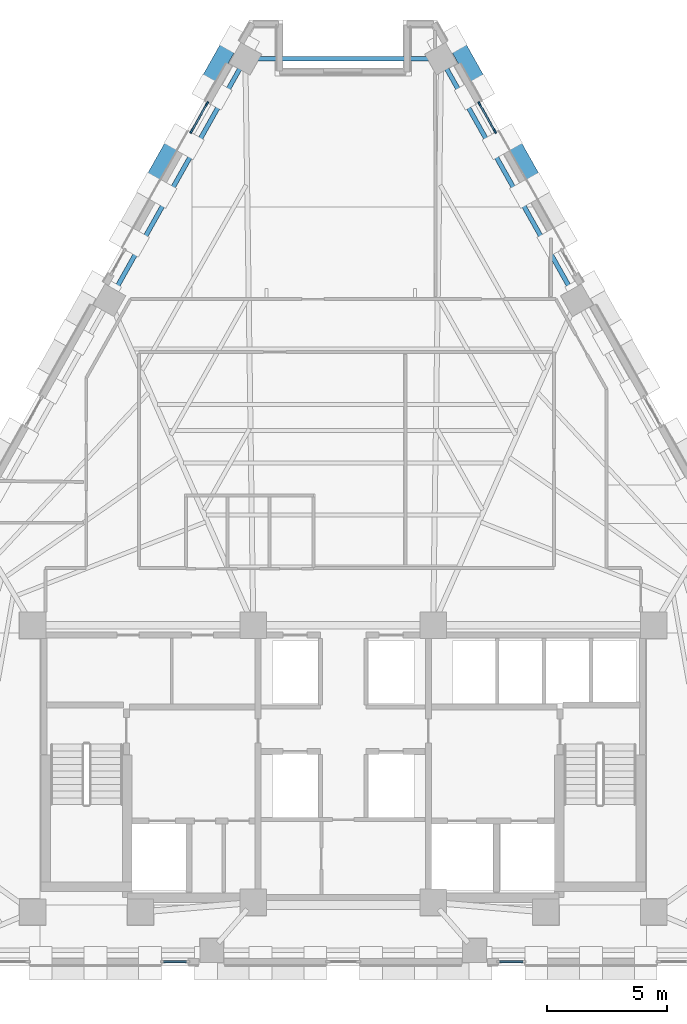
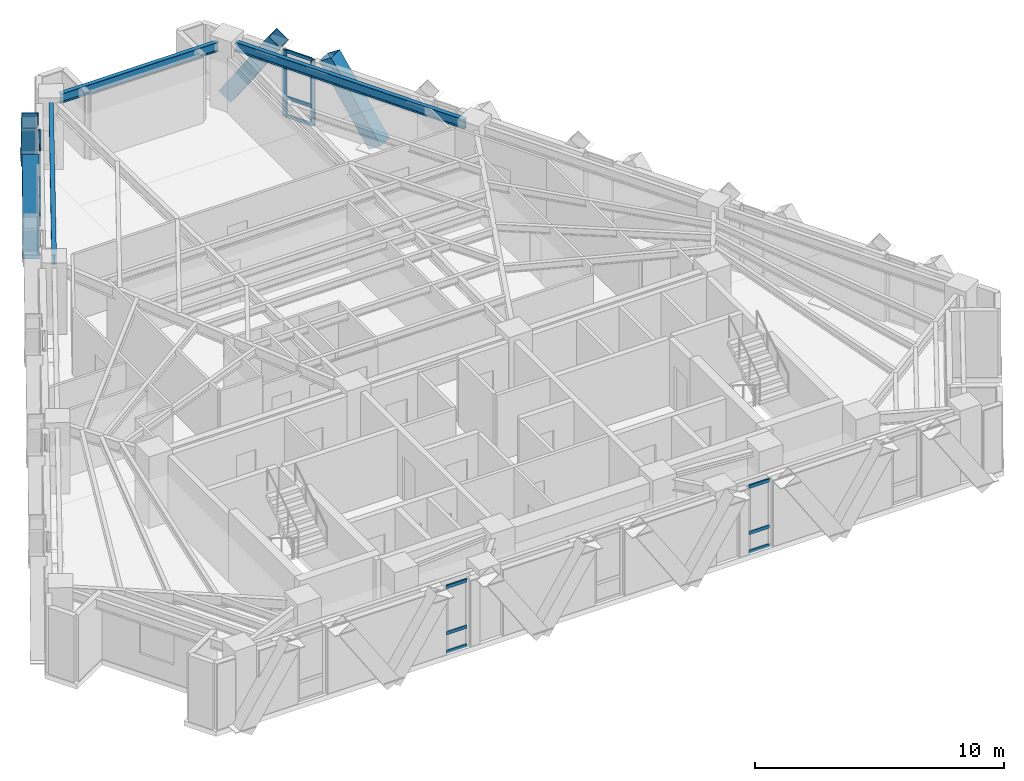
# One storey, part 5 of 13: 20 members, 3 beams, 4 elements without a shape of their own.
"""IFC4 building model written with IfcOpenShell, lengths in metres."""

from ifc_helpers import new_model, si_unit, direction, frame, origin, origin_2d, place, context, subcontext, project, spatial, rectangle, hollow_rectangle, i_section, extrude, material, material_profile, profile_set, type_object, element, aggregate, save


model = new_model("IFC4")

# Units and contexts
model_context = context("Model", 3, precision=1e-05, world=origin(), true_north=direction((0.0, 1.0)))
body_context = subcontext(model_context, "Body", "Model", "MODEL_VIEW")
ifc_project = project(units=[si_unit("LENGTHUNIT", "METRE"), si_unit("AREAUNIT", "SQUARE_METRE"), si_unit("VOLUMEUNIT", "CUBIC_METRE"), si_unit("PLANEANGLEUNIT", "RADIAN"), si_unit("MASSUNIT", "GRAM", prefix="KILO")], contexts=[model_context])

# Site, building, storey
site_placement = place(None, origin())
site = spatial("IfcSite", under=ifc_project, at=site_placement, CompositionType="ELEMENT")
building_placement = place(site_placement, origin())
building = spatial("IfcBuilding", under=site, at=building_placement, Name="Quenlor Broadcast Tower", CompositionType="ELEMENT")
storey_placement = place(building_placement, frame((0.0, 0.0, 161.5)))
storey = spatial("IfcBuildingStorey", under=building, at=storey_placement, Name="L44", CompositionType="ELEMENT", Elevation=161.5)

# Curtain wall, members
ifc_material_1 = material(Name="Architectural Terracotta and Low-E Glazing", Category="masonry")
curtain_wall_type = type_object("IfcCurtainWallType", Name="Unitised Terracotta Curtain Wall System Z3", PredefinedType="NOTDEFINED", material=ifc_material_1)
curtain_wall_1_placement = place(storey_placement, origin())
curtain_wall_1 = element("IfcCurtainWall", 1, at=curtain_wall_1_placement, inside=storey, type_object=curtain_wall_type, Name="L44 Curtain Wall CW3 (L44-NEA-G1)", PredefinedType="NOTDEFINED")
ifc_material_2 = material(Name="Aluminium 6063-T6", Category="aluminium")
ifc_material_profile_1 = material_profile(ifc_material_2, rectangle(XDim=0.070068359375, YDim=0.18994140625, at=origin_2d()))
ifc_profile_set_1 = profile_set([ifc_material_profile_1], Name="Aluminium 6063-T6 MULL70x190")
member_type_1 = type_object("IfcMemberType", Name="CW3 Aluminium Mullion MULL_CW3", PredefinedType="MULLION", material=ifc_profile_set_1)
member_1_placement = place(storey_placement, frame((5.677978515625, 16.94921875, 0.0), z_axis=(0.0, 0.0, 1.0), x_axis=(0.871592831439, 0.490230492916, 0.0)))
member_1 = element("IfcMember", 2, at=member_1_placement, type_object=member_type_1, Name="CW3 mullion 1", PredefinedType="MULLION", context=body_context, shape_type="SweptSolid", body=[
    extrude(rectangle(XDim=0.070068359375, YDim=0.18994140625, at=origin_2d()), origin(), (0.0, 0.0, 1.0), 3.25),
])
member_2_placement = place(storey_placement, frame((6.324951171875, 15.798828125, 0.0), z_axis=(0.0, 0.0, 1.0), x_axis=(0.871592831439, 0.490230492916, 0.0)))
member_2 = element("IfcMember", 3, at=member_2_placement, type_object=member_type_1, Name="CW3 mullion 2", PredefinedType="MULLION", context=body_context, shape_type="SweptSolid", body=[
    extrude(rectangle(XDim=0.070068359375, YDim=0.18994140625, at=origin_2d()), origin(), (0.0, 0.0, 1.0), 3.25),
])

curtain_wall_2_placement = place(storey_placement, origin())
curtain_wall_2 = element("IfcCurtainWall", 4, at=curtain_wall_2_placement, inside=storey, type_object=curtain_wall_type, Name="L44 Curtain Wall CW3 (L44-NWC-G2)", PredefinedType="NOTDEFINED")
member_3_placement = place(storey_placement, frame((-6.324951171875, 15.798828125, 0.0), z_axis=(0.0, 0.0, 1.0), x_axis=(-0.871592831439, 0.490230492916, 0.0)))
member_3 = element("IfcMember", 5, at=member_3_placement, type_object=member_type_1, Name="CW3 mullion 1", PredefinedType="MULLION", context=body_context, shape_type="SweptSolid", body=[
    extrude(rectangle(XDim=0.070068359375, YDim=0.18994140625, at=origin_2d()), origin(), (0.0, 0.0, 1.0), 3.25),
])
member_4_placement = place(storey_placement, frame((-5.677978515625, 16.94921875, 0.0), z_axis=(0.0, 0.0, 1.0), x_axis=(-0.871592831439, 0.490230492916, 0.0)))
member_4 = element("IfcMember", 6, at=member_4_placement, type_object=member_type_1, Name="CW3 mullion 2", PredefinedType="MULLION", context=body_context, shape_type="SweptSolid", body=[
    extrude(rectangle(XDim=0.070068359375, YDim=0.18994140625, at=origin_2d()), origin(), (0.0, 0.0, 1.0), 3.25),
])

curtain_wall_3_placement = place(storey_placement, origin())
curtain_wall_3 = element("IfcCurtainWall", 7, at=curtain_wall_3_placement, inside=storey, type_object=curtain_wall_type, Name="L44 Curtain Wall CW3 (L44-SA-G2)", PredefinedType="NOTDEFINED")
ifc_material_3 = material(Name="Aluminium 6063-T6", Category="aluminium")
ifc_material_profile_2 = material_profile(ifc_material_3, rectangle(XDim=0.070068359375, YDim=0.155029296875, at=origin_2d()))
ifc_profile_set_2 = profile_set([ifc_material_profile_2], Name="Aluminium 6063-T6 TRAN70x155")
member_type_2 = type_object("IfcMemberType", Name="CW3 Aluminium Transom TRAN_CW3", PredefinedType="USERDEFINED", material=ifc_profile_set_2)
member_5_placement = place(storey_placement, frame((7.487060546875, -18.824951171875, 0.034912109375), z_axis=(-1.0, 0.0, 0.0), x_axis=(0.0, -1.0, 0.0)))
member_5 = element("IfcMember", 8, at=member_5_placement, type_object=member_type_2, Name="CW3 transom 1.1", ObjectType="TRANSOM", PredefinedType="USERDEFINED", context=body_context, shape_type="SweptSolid", body=[
    extrude(rectangle(XDim=0.070068359375, YDim=0.155029296875, at=origin_2d()), origin(), (0.0, 0.0, 1.0), 0.951171875),
])
member_6_placement = place(storey_placement, frame((7.487060546875, -18.824951171875, 0.949951171875), z_axis=(-1.0, 0.0, 0.0), x_axis=(0.0, -1.0, 0.0)))
member_6 = element("IfcMember", 9, at=member_6_placement, type_object=member_type_2, Name="CW3 transom 1.2", ObjectType="TRANSOM", PredefinedType="USERDEFINED", context=body_context, shape_type="SweptSolid", body=[
    extrude(rectangle(XDim=0.070068359375, YDim=0.155029296875, at=origin_2d()), origin(), (0.0, 0.0, 1.0), 0.951171875),
])
member_7_placement = place(storey_placement, frame((7.487060546875, -18.824951171875, 3.215087890625), z_axis=(-1.0, 0.0, 0.0), x_axis=(0.0, -1.0, 0.0)))
member_7 = element("IfcMember", 10, at=member_7_placement, type_object=member_type_2, Name="CW3 transom 1.3", ObjectType="TRANSOM", PredefinedType="USERDEFINED", context=body_context, shape_type="SweptSolid", body=[
    extrude(rectangle(XDim=0.070068359375, YDim=0.155029296875, at=origin_2d()), origin(), (0.0, 0.0, 1.0), 0.951171875),
])
aggregate(curtain_wall_3, [member_5, member_6, member_7])

curtain_wall_4_placement = place(storey_placement, origin())
curtain_wall_4 = element("IfcCurtainWall", 11, at=curtain_wall_4_placement, inside=storey, type_object=curtain_wall_type, Name="L44 Curtain Wall CW3 (L44-SC-G1)", PredefinedType="NOTDEFINED")
member_8_placement = place(storey_placement, frame((-6.535888671875, -18.824951171875, 0.034912109375), z_axis=(-1.0, 0.0, 0.0), x_axis=(0.0, -1.0, 0.0)))
member_8 = element("IfcMember", 12, at=member_8_placement, type_object=member_type_2, Name="CW3 transom 1.1", ObjectType="TRANSOM", PredefinedType="USERDEFINED", context=body_context, shape_type="SweptSolid", body=[
    extrude(rectangle(XDim=0.070068359375, YDim=0.155029296875, at=origin_2d()), origin(), (0.0, 0.0, 1.0), 0.951171875),
])
member_9_placement = place(storey_placement, frame((-6.535888671875, -18.824951171875, 0.949951171875), z_axis=(-1.0, 0.0, 0.0), x_axis=(0.0, -1.0, 0.0)))
member_9 = element("IfcMember", 13, at=member_9_placement, type_object=member_type_2, Name="CW3 transom 1.2", ObjectType="TRANSOM", PredefinedType="USERDEFINED", context=body_context, shape_type="SweptSolid", body=[
    extrude(rectangle(XDim=0.070068359375, YDim=0.155029296875, at=origin_2d()), origin(), (0.0, 0.0, 1.0), 0.951171875),
])
member_10_placement = place(storey_placement, frame((-6.535888671875, -18.824951171875, 3.215087890625), z_axis=(-1.0, 0.0, 0.0), x_axis=(0.0, -1.0, 0.0)))
member_10 = element("IfcMember", 14, at=member_10_placement, type_object=member_type_2, Name="CW3 transom 1.3", ObjectType="TRANSOM", PredefinedType="USERDEFINED", context=body_context, shape_type="SweptSolid", body=[
    extrude(rectangle(XDim=0.070068359375, YDim=0.155029296875, at=origin_2d()), origin(), (0.0, 0.0, 1.0), 0.951171875),
])
aggregate(curtain_wall_4, [member_8, member_9, member_10])

# Member
member_11_placement = place(storey_placement, frame((5.695068359375, 16.918701171875, 0.034912109375), z_axis=(0.490131387775, -0.871648566062, 0.0), x_axis=(0.871648566062, 0.490131387775, 0.0)))
member_11 = element("IfcMember", 15, at=member_11_placement, type_object=member_type_2, Name="CW3 transom 1.1", ObjectType="TRANSOM", PredefinedType="USERDEFINED", context=body_context, shape_type="SweptSolid", body=[
    extrude(rectangle(XDim=0.070068359375, YDim=0.155029296875, at=origin_2d()), origin(), (0.0, 0.0, 1.0), 1.249755859375),
])

member_12_placement = place(storey_placement, frame((5.695068359375, 16.918701171875, 0.949951171875), z_axis=(0.490131387775, -0.871648566062, 0.0), x_axis=(0.871648566062, 0.490131387775, 0.0)))
member_12 = element("IfcMember", 16, at=member_12_placement, type_object=member_type_2, Name="CW3 transom 1.2", ObjectType="TRANSOM", PredefinedType="USERDEFINED", context=body_context, shape_type="SweptSolid", body=[
    extrude(rectangle(XDim=0.070068359375, YDim=0.155029296875, at=origin_2d()), origin(), (0.0, 0.0, 1.0), 1.249755859375),
])

member_13_placement = place(storey_placement, frame((5.695068359375, 16.918701171875, 3.215087890625), z_axis=(0.490131387775, -0.871648566062, 0.0), x_axis=(0.871648566062, 0.490131387775, 0.0)))
member_13 = element("IfcMember", 17, at=member_13_placement, type_object=member_type_2, Name="CW3 transom 1.3", ObjectType="TRANSOM", PredefinedType="USERDEFINED", context=body_context, shape_type="SweptSolid", body=[
    extrude(rectangle(XDim=0.070068359375, YDim=0.155029296875, at=origin_2d()), origin(), (0.0, 0.0, 1.0), 1.249755859375),
])

aggregate(curtain_wall_1, [member_1, member_2, member_11, member_12, member_13])

member_14_placement = place(storey_placement, frame((-6.3076171875, 15.829345703125, 0.034912109375), z_axis=(0.490131387775, 0.871648566062, 0.0), x_axis=(-0.871648566062, 0.490131387775, 0.0)))
member_14 = element("IfcMember", 18, at=member_14_placement, type_object=member_type_2, Name="CW3 transom 1.1", ObjectType="TRANSOM", PredefinedType="USERDEFINED", context=body_context, shape_type="SweptSolid", body=[
    extrude(rectangle(XDim=0.070068359375, YDim=0.155029296875, at=origin_2d()), origin(), (0.0, 0.0, 1.0), 1.249755859375),
])

member_15_placement = place(storey_placement, frame((-6.3076171875, 15.829345703125, 0.949951171875), z_axis=(0.490131387775, 0.871648566062, 0.0), x_axis=(-0.871648566062, 0.490131387775, 0.0)))
member_15 = element("IfcMember", 19, at=member_15_placement, type_object=member_type_2, Name="CW3 transom 1.2", ObjectType="TRANSOM", PredefinedType="USERDEFINED", context=body_context, shape_type="SweptSolid", body=[
    extrude(rectangle(XDim=0.070068359375, YDim=0.155029296875, at=origin_2d()), origin(), (0.0, 0.0, 1.0), 1.249755859375),
])

member_16_placement = place(storey_placement, frame((-6.3076171875, 15.829345703125, 3.215087890625), z_axis=(0.490131387775, 0.871648566062, 0.0), x_axis=(-0.871648566062, 0.490131387775, 0.0)))
member_16 = element("IfcMember", 20, at=member_16_placement, type_object=member_type_2, Name="CW3 transom 1.3", ObjectType="TRANSOM", PredefinedType="USERDEFINED", context=body_context, shape_type="SweptSolid", body=[
    extrude(rectangle(XDim=0.070068359375, YDim=0.155029296875, at=origin_2d()), origin(), (0.0, 0.0, 1.0), 1.249755859375),
])

aggregate(curtain_wall_2, [member_3, member_4, member_14, member_15, member_16])

# Members
ifc_material_4 = material(Name="Steel S355", Category="steel")
ifc_material_profile_3 = material_profile(ifc_material_4, hollow_rectangle(XDim=0.679931640625, YDim=0.679931640625, WallThickness=0.02490234375, at=origin_2d()))
ifc_profile_set_3 = profile_set([ifc_material_profile_3], Name="Steel S355 RHS680x680x25")
member_type_3 = type_object("IfcMemberType", Name="Perimeter Diagonal Lattice Brace Z3-Z4 Steel S355 RHS680x25", PredefinedType="BRACE", material=ifc_profile_set_3)
for number, where, z_axis, x_axis, name in (
    (21, (4.62841796875, 19.620361328125, -0.1201171875), (0.2705491942, -0.481008661973, 0.833926735766), (0.871589611547, 0.490236217596, 0.0), "L44 Perimeter Diamond Lattice NE-C1S"),
    (22, (8.062744140625, 13.514892578125, -0.1201171875), (-0.2705491942, 0.481008661973, 0.833926735766), (-0.871589611547, -0.490236217596, 0.0), "L44 Perimeter Diamond Lattice NE-C1B"),
    (23, (-8.062744140625, 13.514892578125, -0.1201171875), (0.2705491942, 0.481008661973, 0.833926735766), (-0.871589611547, 0.490236217596, 0.0), "L44 Perimeter Diamond Lattice NW-C5S"),
    (24, (-4.62841796875, 19.620361328125, -0.1201171875), (-0.2705491942, -0.481008661973, 0.833926735766), (0.871589611547, -0.490236217596, 0.0), "L44 Perimeter Diamond Lattice NW-C5B"),
):
    element("IfcMember", number, at=place(storey_placement, frame(where, z_axis=z_axis, x_axis=x_axis)), inside=storey, type_object=member_type_3, Name=name, PredefinedType="BRACE", context=body_context, shape_type="SweptSolid", body=[
        extrude(hollow_rectangle(XDim=0.679931640625, YDim=0.679931640625, WallThickness=0.02490234375, at=origin_2d()), origin(), (0.0, 0.0, 1.0), 4.197021484375),
    ])

# Beams
ifc_material_5 = material(Name="Steel S355", Category="steel")
ifc_material_profile_4 = material_profile(ifc_material_5, i_section(OverallWidth=0.19091796875, OverallDepth=0.46044921875, WebThickness=0.010009765625, FlangeThickness=0.01611328125, FilletRadius=0.011474609375, at=origin_2d()))
ifc_profile_set_4 = profile_set([ifc_material_profile_4], Name="Steel S355 460UB82.1")
beam_type = type_object("IfcBeamType", Name="Perimeter Spandrel Beam Z3 Steel S355 460UB82.1", PredefinedType="SPANDREL", material=ifc_profile_set_4)
beam_1_placement = place(storey_placement, frame((9.5419921875, 9.110595703125, 3.019775390625), z_axis=(-0.490257999604, 0.871577359633, 0.0), x_axis=(-0.871577359633, -0.490257999604, 0.0)))
element("IfcBeam", 25, at=beam_1_placement, inside=storey, type_object=beam_type, Name="L44 Spandrel Beam NE3-NE4", PredefinedType="SPANDREL", context=body_context, shape_type="SweptSolid", body=[
    extrude(i_section(OverallWidth=0.19091796875, OverallDepth=0.46044921875, WebThickness=0.010009765625, FlangeThickness=0.01611328125, FilletRadius=0.011474609375, at=origin_2d()), origin(), (0.0, 0.0, 1.0), 10.732666015625),
])
beam_2_placement = place(storey_placement, frame((3.669189453125, 18.822021484375, 3.019775390625), z_axis=(-1.0, 0.0, 0.0), x_axis=(0.0, -1.0, 0.0)))
element("IfcBeam", 26, at=beam_2_placement, inside=storey, type_object=beam_type, Name="L44 Spandrel Beam NE4-NW1", PredefinedType="SPANDREL", context=body_context, shape_type="SweptSolid", body=[
    extrude(i_section(OverallWidth=0.19091796875, OverallDepth=0.46044921875, WebThickness=0.010009765625, FlangeThickness=0.01611328125, FilletRadius=0.011474609375, at=origin_2d()), origin(), (0.0, 0.0, 1.0), 7.33837890625),
])
beam_3_placement = place(storey_placement, frame((-4.2802734375, 18.46484375, 3.019775390625), z_axis=(-0.490257999604, -0.871577359633, 0.0), x_axis=(0.871577359633, -0.490257999604, 0.0)))
element("IfcBeam", 27, at=beam_3_placement, inside=storey, type_object=beam_type, Name="L44 Spandrel Beam NW1-NW2", PredefinedType="SPANDREL", context=body_context, shape_type="SweptSolid", body=[
    extrude(i_section(OverallWidth=0.19091796875, OverallDepth=0.46044921875, WebThickness=0.010009765625, FlangeThickness=0.01611328125, FilletRadius=0.011474609375, at=origin_2d()), origin(), (0.0, 0.0, 1.0), 10.732666015625),
])

save(model, "model.ifc")
